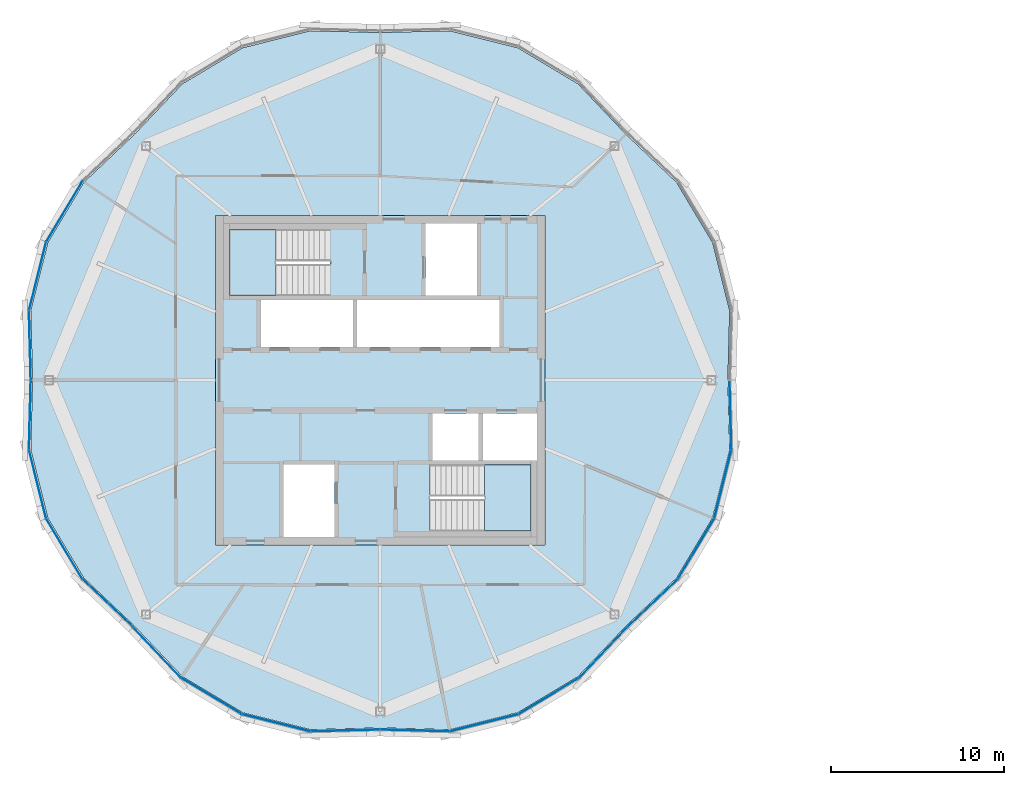
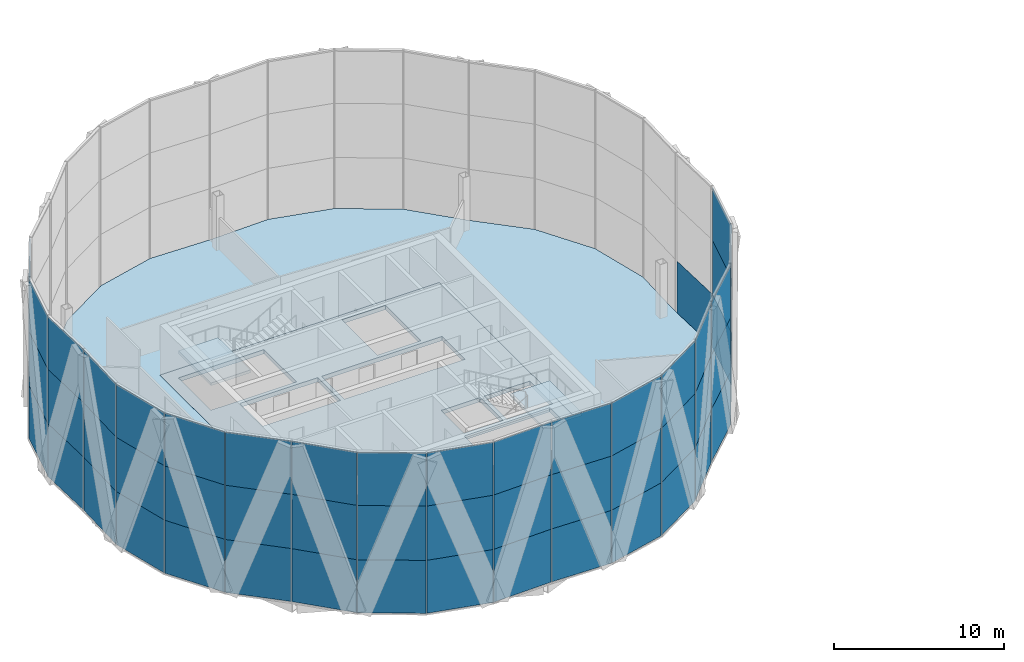
# One storey, part 12 of 22: 55 plates, 4 slabs, 7 elements without a shape of their own.
"""IFC4 building model written with IfcOpenShell, lengths in metres."""

from ifc_helpers import new_model, si_unit, direction, frame, origin, origin_2d, place, context, subcontext, project, spatial, polyline, rectangle, outline, extrude, material, layer, layer_set, type_object, element, aggregate, save


model = new_model("IFC4")

# Units and contexts
model_context = context("Model", 3, precision=1e-05, world=origin(), true_north=direction((0.0, 1.0)))
body_context = subcontext(model_context, "Body", "Model", "MODEL_VIEW")
ifc_project = project(units=[si_unit("LENGTHUNIT", "METRE"), si_unit("AREAUNIT", "SQUARE_METRE"), si_unit("VOLUMEUNIT", "CUBIC_METRE"), si_unit("PLANEANGLEUNIT", "RADIAN"), si_unit("MASSUNIT", "GRAM", prefix="KILO")], contexts=[model_context])

# Site, building, storey
site_placement = place(None, origin())
site = spatial("IfcSite", under=ifc_project, at=site_placement, CompositionType="ELEMENT")
building_placement = place(site_placement, origin())
building = spatial("IfcBuilding", under=site, at=building_placement, Name="Ogive Gate Towers", CompositionType="ELEMENT")
storey_placement = place(building_placement, frame((0.0, 0.0, 228.89990234375)))
storey = spatial("IfcBuildingStorey", under=building, at=storey_placement, Name="L54", CompositionType="ELEMENT", Elevation=228.89990234375)

# Slabs
ifc_material_1 = material(Name="Concrete C40/50", Category="concrete")
ifc_layer_1 = layer(ifc_material_1, 0.300048828125)
ifc_layer_set_1 = layer_set([ifc_layer_1], Name="Core slab C40/50 300 mm")
slab_type_1 = type_object("IfcSlabType", Name="Core slab C40/50 300 mm", PredefinedType="FLOOR", material=ifc_layer_set_1)
slab_1_placement = place(storey_placement, frame((0.0, 0.0, -0.2998046875)))
element("IfcSlab", 1, at=slab_1_placement, inside=storey, type_object=slab_type_1, Name="T1 L54 core slab", PredefinedType="FLOOR", context=body_context, shape_type="SweptSolid", body=[
    extrude(outline(polyline([(-45.5, -9.5), (-45.5, 9.5), (-26.5, 9.5), (-26.5, -9.5), (-45.5, -9.5)]), holes=[polyline([(-42.875, 1.925048828125), (-37.574951171875, 1.925048828125), (-37.574951171875, 4.625), (-42.875, 4.625), (-42.875, 1.925048828125)]), polyline([(-37.324951171875, 4.625), (-37.324951171875, 1.925048828125), (-29.125, 1.925048828125), (-29.125, 4.625), (-37.324951171875, 4.625)]), polyline([(-30.324951171875, -1.925048828125), (-32.97509765625, -1.925048828125), (-32.97509765625, -4.625), (-30.324951171875, -4.625), (-30.324951171875, -1.925048828125)]), polyline([(-26.949951171875, -4.625), (-26.949951171875, -1.925048828125), (-30.074951171875, -1.925048828125), (-30.074951171875, -4.625), (-26.949951171875, -4.625)]), polyline([(-33.375, 4.875), (-30.425048828125, 4.875), (-30.425048828125, 9.050048828125), (-33.375, 9.050048828125), (-33.375, 4.875)]), polyline([(-41.574951171875, -4.875), (-41.574951171875, -9.050048828125), (-38.625, -9.050048828125), (-38.625, -4.875), (-41.574951171875, -4.875)]), polyline([(-44.699951171875, 4.875), (-38.885009765625, 4.875), (-38.885009765625, 8.699951171875), (-44.699951171875, 8.699951171875), (-44.699951171875, 4.875)]), polyline([(-27.300048828125, -8.699951171875), (-27.300048828125, -4.875), (-33.114990234375, -4.875), (-33.114990234375, -8.699951171875), (-27.300048828125, -8.699951171875)])]), origin(), (0.0, 0.0, 1.0), 0.2998046875),
])
ifc_material_2 = material(Name="Concrete C35/45", Category="concrete")
ifc_layer_2 = layer(ifc_material_2, 0.300048828125)
ifc_layer_set_2 = layer_set([ifc_layer_2], Name="Floor slab 300")
slab_type_2 = type_object("IfcSlabType", Name="Floor slab 300", PredefinedType="FLOOR", material=ifc_layer_set_2)
slab_2_placement = place(storey_placement, frame((0.0, 0.0, -0.2998046875)))
element("IfcSlab", 2, at=slab_2_placement, inside=storey, type_object=slab_type_2, Name="T1/L54/SSL001", PredefinedType="FLOOR", context=body_context, shape_type="SweptSolid", body=[
    extrude(outline(polyline([(-15.844970703125, -4.009033203125), (-15.949951171875, 0.0), (-15.844970703125, 4.009033203125), (-16.82958984375, 7.940673828125), (-18.913330078125, 11.4169921875), (-21.822509765625, 14.177490234375), (-24.5830078125, 17.086669921875), (-28.059326171875, 19.17041015625), (-31.990966796875, 20.155029296875), (-36.0, 20.050048828125), (-40.009033203125, 20.155029296875), (-43.940673828125, 19.17041015625), (-47.4169921875, 17.086669921875), (-50.177490234375, 14.177490234375), (-53.086669921875, 11.4169921875), (-55.17041015625, 7.940673828125), (-56.155029296875, 4.009033203125), (-56.050048828125, 0.0), (-56.155029296875, -4.009033203125), (-55.17041015625, -7.940673828125), (-53.086669921875, -11.4169921875), (-50.177490234375, -14.177490234375), (-47.4169921875, -17.086669921875), (-43.940673828125, -19.17041015625), (-40.009033203125, -20.155029296875), (-36.0, -20.050048828125), (-31.990966796875, -20.155029296875), (-28.059326171875, -19.17041015625), (-24.5830078125, -17.086669921875), (-21.822509765625, -14.177490234375), (-18.913330078125, -11.4169921875), (-16.82958984375, -7.940673828125), (-15.844970703125, -4.009033203125)]), holes=[polyline([(-26.5, -9.5), (-45.5, -9.5), (-45.5, 9.5), (-26.5, 9.5), (-26.5, -9.5)])]), origin(), (0.0, 0.0, 1.0), 0.2998046875),
])

# Stair, slab
stair_type = type_object("IfcStairType", Name="Escape stair 1840 wide", PredefinedType="HALF_TURN_STAIR", material=ifc_material_1)
stair_1_placement = place(storey_placement, origin())
stair_1 = element("IfcStair", 3, at=stair_1_placement, inside=storey, type_object=stair_type, Name="L54 Escape stair 1", PredefinedType="HALF_TURN_STAIR")
ifc_layer_3 = layer(ifc_material_1, 0.199951171875)
ifc_layer_set_3 = layer_set([ifc_layer_3], Name="Stair landing 200 mm")
slab_type_3 = type_object("IfcSlabType", Name="Stair landing 200 mm", PredefinedType="LANDING", material=ifc_layer_set_3)
slab_3_placement = place(storey_placement, frame((0.0, 0.0, 1.75)))
slab_3 = element("IfcSlab", 4, at=slab_3_placement, type_object=slab_type_3, Name="ST1 landing 1", PredefinedType="LANDING", context=body_context, shape_type="SweptSolid", body=[
    extrude(outline(polyline([(-42.00146484375, 8.699951171875), (-44.699951171875, 8.699951171875), (-44.699951171875, 4.875), (-42.00146484375, 4.875), (-42.00146484375, 8.699951171875)])), origin(), (0.0, 0.0, 1.0), 0.2001953125),
])
aggregate(stair_1, [slab_3])

stair_2_placement = place(storey_placement, origin())
stair_2 = element("IfcStair", 5, at=stair_2_placement, inside=storey, type_object=stair_type, Name="L54 Escape stair 2", PredefinedType="HALF_TURN_STAIR")
slab_4_placement = place(storey_placement, frame((0.0, 0.0, 1.75)))
slab_4 = element("IfcSlab", 6, at=slab_4_placement, type_object=slab_type_3, Name="ST2 landing 1", PredefinedType="LANDING", context=body_context, shape_type="SweptSolid", body=[
    extrude(outline(polyline([(-29.99853515625, -8.699951171875), (-27.300048828125, -8.699951171875), (-27.300048828125, -4.875), (-29.99853515625, -4.875), (-29.99853515625, -8.699951171875)])), origin(), (0.0, 0.0, 1.0), 0.2001953125),
])
aggregate(stair_2, [slab_4])

# Curtain wall, plates
ifc_material_3 = material(Name="Pale metal aluminium", Category="aluminium")
curtain_wall_type = type_object("IfcCurtainWallType", Name="Tower unitised wall, high zone", PredefinedType="NOTDEFINED", material=ifc_material_3)
curtain_wall_1_placement = place(storey_placement, origin())
curtain_wall_1 = element("IfcCurtainWall", 7, at=curtain_wall_1_placement, inside=storey, type_object=curtain_wall_type, Name="CW2 T1 ECW04", PredefinedType="NOTDEFINED")
ifc_material_4 = material(Name="Clear glass", Category="glass")
ifc_layer_4 = layer(ifc_material_4, 0.028076171875)
ifc_layer_set_4 = layer_set([ifc_layer_4], Name="Tower unitised wall, high zone glass panel")
plate_type = type_object("IfcPlateType", Name="Tower unitised wall, high zone glass panel", PredefinedType="CURTAIN_PANEL", material=ifc_layer_set_4)
plate_1_placement = place(storey_placement, frame((-54.214599609375, 9.729736328125, -0.2041015625), z_axis=(0.0, 0.0, 1.0), x_axis=(-0.514155138893, -0.85769720365, 0.0)))
plate_1 = element("IfcPlate", 8, at=plate_1_placement, type_object=plate_type, Name="CW2 glass panel", PredefinedType="CURTAIN_PANEL", context=body_context, shape_type="SweptSolid", body=[
    extrude(rectangle(XDim=4.01953125, YDim=0.028076171875, at=origin_2d()), origin(), (0.0, 0.0, 1.0), 3.803955078125),
])
plate_2_placement = place(storey_placement, frame((-54.214599609375, 9.729736328125, 3.60009765625), z_axis=(0.0, 0.0, 1.0), x_axis=(-0.514155138893, -0.85769720365, 0.0)))
plate_2 = element("IfcPlate", 9, at=plate_2_placement, type_object=plate_type, Name="CW2 glass panel", PredefinedType="CURTAIN_PANEL", context=body_context, shape_type="SweptSolid", body=[
    extrude(rectangle(XDim=4.01953125, YDim=0.028076171875, at=origin_2d()), origin(), (0.0, 0.0, 1.0), 3.89990234375),
])
plate_3_placement = place(storey_placement, frame((-54.214599609375, 9.729736328125, 7.5), z_axis=(0.0, 0.0, 1.0), x_axis=(-0.514155138893, -0.85769720365, 0.0)))
plate_3 = element("IfcPlate", 10, at=plate_3_placement, type_object=plate_type, Name="CW2 glass panel", PredefinedType="CURTAIN_PANEL", context=body_context, shape_type="SweptSolid", body=[
    extrude(rectangle(XDim=4.01953125, YDim=0.028076171875, at=origin_2d()), origin(), (0.0, 0.0, 1.0), 3.803955078125),
])
plate_4_placement = place(storey_placement, frame((-55.759765625, 5.999755859375, -0.2041015625), z_axis=(0.0, 0.0, 1.0), x_axis=(-0.242937854074, -0.970041854282, 0.0)))
plate_4 = element("IfcPlate", 11, at=plate_4_placement, type_object=plate_type, Name="CW2 glass panel", PredefinedType="CURTAIN_PANEL", context=body_context, shape_type="SweptSolid", body=[
    extrude(rectangle(XDim=4.01953125, YDim=0.028076171875, at=origin_2d()), origin(), (0.0, 0.0, 1.0), 3.803955078125),
])
plate_5_placement = place(storey_placement, frame((-55.759765625, 5.999755859375, 3.60009765625), z_axis=(0.0, 0.0, 1.0), x_axis=(-0.242937854074, -0.970041854282, 0.0)))
plate_5 = element("IfcPlate", 12, at=plate_5_placement, type_object=plate_type, Name="CW2 glass panel", PredefinedType="CURTAIN_PANEL", context=body_context, shape_type="SweptSolid", body=[
    extrude(rectangle(XDim=4.01953125, YDim=0.028076171875, at=origin_2d()), origin(), (0.0, 0.0, 1.0), 3.89990234375),
])
plate_6_placement = place(storey_placement, frame((-55.759765625, 5.999755859375, 7.5), z_axis=(0.0, 0.0, 1.0), x_axis=(-0.242937854074, -0.970041854282, 0.0)))
plate_6 = element("IfcPlate", 13, at=plate_6_placement, type_object=plate_type, Name="CW2 glass panel", PredefinedType="CURTAIN_PANEL", context=body_context, shape_type="SweptSolid", body=[
    extrude(rectangle(XDim=4.01953125, YDim=0.028076171875, at=origin_2d()), origin(), (0.0, 0.0, 1.0), 3.803955078125),
])
plate_7_placement = place(storey_placement, frame((-56.20263671875, 2.008056640625, -0.2041015625), z_axis=(0.0, 0.0, 1.0), x_axis=(0.026229290207, -0.999655952983, 0.0)))
plate_7 = element("IfcPlate", 14, at=plate_7_placement, type_object=plate_type, Name="CW2 glass panel", PredefinedType="CURTAIN_PANEL", context=body_context, shape_type="SweptSolid", body=[
    extrude(rectangle(XDim=3.963623046875, YDim=0.028076171875, at=origin_2d()), origin(), (0.0, 0.0, 1.0), 3.803955078125),
])
plate_8_placement = place(storey_placement, frame((-56.20263671875, 2.008056640625, 3.60009765625), z_axis=(0.0, 0.0, 1.0), x_axis=(0.026229290207, -0.999655952983, 0.0)))
plate_8 = element("IfcPlate", 15, at=plate_8_placement, type_object=plate_type, Name="CW2 glass panel", PredefinedType="CURTAIN_PANEL", context=body_context, shape_type="SweptSolid", body=[
    extrude(rectangle(XDim=3.963623046875, YDim=0.028076171875, at=origin_2d()), origin(), (0.0, 0.0, 1.0), 3.89990234375),
])
plate_9_placement = place(storey_placement, frame((-56.20263671875, 2.008056640625, 7.5), z_axis=(0.0, 0.0, 1.0), x_axis=(0.026229290207, -0.999655952983, 0.0)))
plate_9 = element("IfcPlate", 16, at=plate_9_placement, type_object=plate_type, Name="CW2 glass panel", PredefinedType="CURTAIN_PANEL", context=body_context, shape_type="SweptSolid", body=[
    extrude(rectangle(XDim=3.963623046875, YDim=0.028076171875, at=origin_2d()), origin(), (0.0, 0.0, 1.0), 3.803955078125),
])
aggregate(curtain_wall_1, [plate_1, plate_2, plate_3, plate_4, plate_5, plate_6, plate_7, plate_8, plate_9])

curtain_wall_2_placement = place(storey_placement, origin())
curtain_wall_2 = element("IfcCurtainWall", 17, at=curtain_wall_2_placement, inside=storey, type_object=curtain_wall_type, Name="CW2 T1 ECW05", PredefinedType="NOTDEFINED")
plate_10_placement = place(storey_placement, frame((-56.20263671875, -2.008056640625, -0.2041015625), z_axis=(0.0, 0.0, 1.0), x_axis=(-0.026229290207, -0.999655952983, 0.0)))
plate_10 = element("IfcPlate", 18, at=plate_10_placement, type_object=plate_type, Name="CW2 glass panel", PredefinedType="CURTAIN_PANEL", context=body_context, shape_type="SweptSolid", body=[
    extrude(rectangle(XDim=3.963623046875, YDim=0.028076171875, at=origin_2d()), origin(), (0.0, 0.0, 1.0), 3.803955078125),
])
plate_11_placement = place(storey_placement, frame((-56.20263671875, -2.008056640625, 3.60009765625), z_axis=(0.0, 0.0, 1.0), x_axis=(-0.026229290207, -0.999655952983, 0.0)))
plate_11 = element("IfcPlate", 19, at=plate_11_placement, type_object=plate_type, Name="CW2 glass panel", PredefinedType="CURTAIN_PANEL", context=body_context, shape_type="SweptSolid", body=[
    extrude(rectangle(XDim=3.963623046875, YDim=0.028076171875, at=origin_2d()), origin(), (0.0, 0.0, 1.0), 3.89990234375),
])
plate_12_placement = place(storey_placement, frame((-56.20263671875, -2.008056640625, 7.5), z_axis=(0.0, 0.0, 1.0), x_axis=(-0.026229290207, -0.999655952983, 0.0)))
plate_12 = element("IfcPlate", 20, at=plate_12_placement, type_object=plate_type, Name="CW2 glass panel", PredefinedType="CURTAIN_PANEL", context=body_context, shape_type="SweptSolid", body=[
    extrude(rectangle(XDim=3.963623046875, YDim=0.028076171875, at=origin_2d()), origin(), (0.0, 0.0, 1.0), 3.803955078125),
])
plate_13_placement = place(storey_placement, frame((-55.759765625, -5.999755859375, -0.2041015625), z_axis=(0.0, 0.0, 1.0), x_axis=(0.242937854074, -0.970041854282, 0.0)))
plate_13 = element("IfcPlate", 21, at=plate_13_placement, type_object=plate_type, Name="CW2 glass panel", PredefinedType="CURTAIN_PANEL", context=body_context, shape_type="SweptSolid", body=[
    extrude(rectangle(XDim=4.01953125, YDim=0.028076171875, at=origin_2d()), origin(), (0.0, 0.0, 1.0), 3.803955078125),
])
plate_14_placement = place(storey_placement, frame((-55.759765625, -5.999755859375, 3.60009765625), z_axis=(0.0, 0.0, 1.0), x_axis=(0.242937854074, -0.970041854282, 0.0)))
plate_14 = element("IfcPlate", 22, at=plate_14_placement, type_object=plate_type, Name="CW2 glass panel", PredefinedType="CURTAIN_PANEL", context=body_context, shape_type="SweptSolid", body=[
    extrude(rectangle(XDim=4.01953125, YDim=0.028076171875, at=origin_2d()), origin(), (0.0, 0.0, 1.0), 3.89990234375),
])
plate_15_placement = place(storey_placement, frame((-55.759765625, -5.999755859375, 7.5), z_axis=(0.0, 0.0, 1.0), x_axis=(0.242937854074, -0.970041854282, 0.0)))
plate_15 = element("IfcPlate", 23, at=plate_15_placement, type_object=plate_type, Name="CW2 glass panel", PredefinedType="CURTAIN_PANEL", context=body_context, shape_type="SweptSolid", body=[
    extrude(rectangle(XDim=4.01953125, YDim=0.028076171875, at=origin_2d()), origin(), (0.0, 0.0, 1.0), 3.803955078125),
])
plate_16_placement = place(storey_placement, frame((-54.214599609375, -9.729736328125, -0.2041015625), z_axis=(0.0, 0.0, 1.0), x_axis=(0.514155138893, -0.85769720365, 0.0)))
plate_16 = element("IfcPlate", 24, at=plate_16_placement, type_object=plate_type, Name="CW2 glass panel", PredefinedType="CURTAIN_PANEL", context=body_context, shape_type="SweptSolid", body=[
    extrude(rectangle(XDim=4.01953125, YDim=0.028076171875, at=origin_2d()), origin(), (0.0, 0.0, 1.0), 3.803955078125),
])
plate_17_placement = place(storey_placement, frame((-54.214599609375, -9.729736328125, 3.60009765625), z_axis=(0.0, 0.0, 1.0), x_axis=(0.514155138893, -0.85769720365, 0.0)))
plate_17 = element("IfcPlate", 25, at=plate_17_placement, type_object=plate_type, Name="CW2 glass panel", PredefinedType="CURTAIN_PANEL", context=body_context, shape_type="SweptSolid", body=[
    extrude(rectangle(XDim=4.01953125, YDim=0.028076171875, at=origin_2d()), origin(), (0.0, 0.0, 1.0), 3.89990234375),
])
plate_18_placement = place(storey_placement, frame((-54.214599609375, -9.729736328125, 7.5), z_axis=(0.0, 0.0, 1.0), x_axis=(0.514155138893, -0.85769720365, 0.0)))
plate_18 = element("IfcPlate", 26, at=plate_18_placement, type_object=plate_type, Name="CW2 glass panel", PredefinedType="CURTAIN_PANEL", context=body_context, shape_type="SweptSolid", body=[
    extrude(rectangle(XDim=4.01953125, YDim=0.028076171875, at=origin_2d()), origin(), (0.0, 0.0, 1.0), 3.803955078125),
])
plate_19_placement = place(storey_placement, frame((-51.705322265625, -12.865478515625, -0.2041015625), z_axis=(0.0, 0.0, 1.0), x_axis=(0.725398398678, -0.688329254932, 0.0)))
plate_19 = element("IfcPlate", 27, at=plate_19_placement, type_object=plate_type, Name="CW2 glass panel", PredefinedType="CURTAIN_PANEL", context=body_context, shape_type="SweptSolid", body=[
    extrude(rectangle(XDim=3.963623046875, YDim=0.028076171875, at=origin_2d()), origin(), (0.0, 0.0, 1.0), 3.803955078125),
])
plate_20_placement = place(storey_placement, frame((-51.705322265625, -12.865478515625, 3.60009765625), z_axis=(0.0, 0.0, 1.0), x_axis=(0.725398398678, -0.688329254932, 0.0)))
plate_20 = element("IfcPlate", 28, at=plate_20_placement, type_object=plate_type, Name="CW2 glass panel", PredefinedType="CURTAIN_PANEL", context=body_context, shape_type="SweptSolid", body=[
    extrude(rectangle(XDim=3.963623046875, YDim=0.028076171875, at=origin_2d()), origin(), (0.0, 0.0, 1.0), 3.89990234375),
])
plate_21_placement = place(storey_placement, frame((-51.705322265625, -12.865478515625, 7.5), z_axis=(0.0, 0.0, 1.0), x_axis=(0.725398398678, -0.688329254932, 0.0)))
plate_21 = element("IfcPlate", 29, at=plate_21_placement, type_object=plate_type, Name="CW2 glass panel", PredefinedType="CURTAIN_PANEL", context=body_context, shape_type="SweptSolid", body=[
    extrude(rectangle(XDim=3.963623046875, YDim=0.028076171875, at=origin_2d()), origin(), (0.0, 0.0, 1.0), 3.803955078125),
])
aggregate(curtain_wall_2, [plate_10, plate_11, plate_12, plate_13, plate_14, plate_15, plate_16, plate_17, plate_18, plate_19, plate_20, plate_21])

curtain_wall_3_placement = place(storey_placement, origin())
curtain_wall_3 = element("IfcCurtainWall", 30, at=curtain_wall_3_placement, inside=storey, type_object=curtain_wall_type, Name="CW2 T1 ECW06", PredefinedType="NOTDEFINED")
plate_22_placement = place(storey_placement, frame((-48.865478515625, -15.705322265625, -0.2041015625), z_axis=(0.0, 0.0, 1.0), x_axis=(0.688329254932, -0.725398398678, 0.0)))
plate_22 = element("IfcPlate", 31, at=plate_22_placement, type_object=plate_type, Name="CW2 glass panel", PredefinedType="CURTAIN_PANEL", context=body_context, shape_type="SweptSolid", body=[
    extrude(rectangle(XDim=3.963623046875, YDim=0.028076171875, at=origin_2d()), origin(), (0.0, 0.0, 1.0), 3.803955078125),
])
plate_23_placement = place(storey_placement, frame((-48.865478515625, -15.705322265625, 3.60009765625), z_axis=(0.0, 0.0, 1.0), x_axis=(0.688329254932, -0.725398398678, 0.0)))
plate_23 = element("IfcPlate", 32, at=plate_23_placement, type_object=plate_type, Name="CW2 glass panel", PredefinedType="CURTAIN_PANEL", context=body_context, shape_type="SweptSolid", body=[
    extrude(rectangle(XDim=3.963623046875, YDim=0.028076171875, at=origin_2d()), origin(), (0.0, 0.0, 1.0), 3.89990234375),
])
plate_24_placement = place(storey_placement, frame((-48.865478515625, -15.705322265625, 7.5), z_axis=(0.0, 0.0, 1.0), x_axis=(0.688329254932, -0.725398398678, 0.0)))
plate_24 = element("IfcPlate", 33, at=plate_24_placement, type_object=plate_type, Name="CW2 glass panel", PredefinedType="CURTAIN_PANEL", context=body_context, shape_type="SweptSolid", body=[
    extrude(rectangle(XDim=3.963623046875, YDim=0.028076171875, at=origin_2d()), origin(), (0.0, 0.0, 1.0), 3.803955078125),
])
plate_25_placement = place(storey_placement, frame((-45.729736328125, -18.214599609375, -0.2041015625), z_axis=(0.0, 0.0, 1.0), x_axis=(0.85769720365, -0.514155138893, 0.0)))
plate_25 = element("IfcPlate", 34, at=plate_25_placement, type_object=plate_type, Name="CW2 glass panel", PredefinedType="CURTAIN_PANEL", context=body_context, shape_type="SweptSolid", body=[
    extrude(rectangle(XDim=4.01953125, YDim=0.028076171875, at=origin_2d()), origin(), (0.0, 0.0, 1.0), 3.803955078125),
])
plate_26_placement = place(storey_placement, frame((-45.729736328125, -18.214599609375, 3.60009765625), z_axis=(0.0, 0.0, 1.0), x_axis=(0.85769720365, -0.514155138893, 0.0)))
plate_26 = element("IfcPlate", 35, at=plate_26_placement, type_object=plate_type, Name="CW2 glass panel", PredefinedType="CURTAIN_PANEL", context=body_context, shape_type="SweptSolid", body=[
    extrude(rectangle(XDim=4.01953125, YDim=0.028076171875, at=origin_2d()), origin(), (0.0, 0.0, 1.0), 3.89990234375),
])
plate_27_placement = place(storey_placement, frame((-45.729736328125, -18.214599609375, 7.5), z_axis=(0.0, 0.0, 1.0), x_axis=(0.85769720365, -0.514155138893, 0.0)))
plate_27 = element("IfcPlate", 36, at=plate_27_placement, type_object=plate_type, Name="CW2 glass panel", PredefinedType="CURTAIN_PANEL", context=body_context, shape_type="SweptSolid", body=[
    extrude(rectangle(XDim=4.01953125, YDim=0.028076171875, at=origin_2d()), origin(), (0.0, 0.0, 1.0), 3.803955078125),
])
plate_28_placement = place(storey_placement, frame((-41.999755859375, -19.759765625, -0.2041015625), z_axis=(0.0, 0.0, 1.0), x_axis=(0.970041854282, -0.242937854074, 0.0)))
plate_28 = element("IfcPlate", 37, at=plate_28_placement, type_object=plate_type, Name="CW2 glass panel", PredefinedType="CURTAIN_PANEL", context=body_context, shape_type="SweptSolid", body=[
    extrude(rectangle(XDim=4.01953125, YDim=0.028076171875, at=origin_2d()), origin(), (0.0, 0.0, 1.0), 3.803955078125),
])
plate_29_placement = place(storey_placement, frame((-41.999755859375, -19.759765625, 3.60009765625), z_axis=(0.0, 0.0, 1.0), x_axis=(0.970041854282, -0.242937854074, 0.0)))
plate_29 = element("IfcPlate", 38, at=plate_29_placement, type_object=plate_type, Name="CW2 glass panel", PredefinedType="CURTAIN_PANEL", context=body_context, shape_type="SweptSolid", body=[
    extrude(rectangle(XDim=4.01953125, YDim=0.028076171875, at=origin_2d()), origin(), (0.0, 0.0, 1.0), 3.89990234375),
])
plate_30_placement = place(storey_placement, frame((-41.999755859375, -19.759765625, 7.5), z_axis=(0.0, 0.0, 1.0), x_axis=(0.970041854282, -0.242937854074, 0.0)))
plate_30 = element("IfcPlate", 39, at=plate_30_placement, type_object=plate_type, Name="CW2 glass panel", PredefinedType="CURTAIN_PANEL", context=body_context, shape_type="SweptSolid", body=[
    extrude(rectangle(XDim=4.01953125, YDim=0.028076171875, at=origin_2d()), origin(), (0.0, 0.0, 1.0), 3.803955078125),
])
plate_31_placement = place(storey_placement, frame((-38.008056640625, -20.20263671875, -0.2041015625), z_axis=(0.0, 0.0, 1.0), x_axis=(0.999655952983, 0.026229290207, 0.0)))
plate_31 = element("IfcPlate", 40, at=plate_31_placement, type_object=plate_type, Name="CW2 glass panel", PredefinedType="CURTAIN_PANEL", context=body_context, shape_type="SweptSolid", body=[
    extrude(rectangle(XDim=3.963623046875, YDim=0.028076171875, at=origin_2d()), origin(), (0.0, 0.0, 1.0), 3.803955078125),
])
plate_32_placement = place(storey_placement, frame((-38.008056640625, -20.20263671875, 3.60009765625), z_axis=(0.0, 0.0, 1.0), x_axis=(0.999655952983, 0.026229290207, 0.0)))
plate_32 = element("IfcPlate", 41, at=plate_32_placement, type_object=plate_type, Name="CW2 glass panel", PredefinedType="CURTAIN_PANEL", context=body_context, shape_type="SweptSolid", body=[
    extrude(rectangle(XDim=3.963623046875, YDim=0.028076171875, at=origin_2d()), origin(), (0.0, 0.0, 1.0), 3.89990234375),
])
plate_33_placement = place(storey_placement, frame((-38.008056640625, -20.20263671875, 7.5), z_axis=(0.0, 0.0, 1.0), x_axis=(0.999655952983, 0.026229290207, 0.0)))
plate_33 = element("IfcPlate", 42, at=plate_33_placement, type_object=plate_type, Name="CW2 glass panel", PredefinedType="CURTAIN_PANEL", context=body_context, shape_type="SweptSolid", body=[
    extrude(rectangle(XDim=3.963623046875, YDim=0.028076171875, at=origin_2d()), origin(), (0.0, 0.0, 1.0), 3.803955078125),
])
aggregate(curtain_wall_3, [plate_22, plate_23, plate_24, plate_25, plate_26, plate_27, plate_28, plate_29, plate_30, plate_31, plate_32, plate_33])

curtain_wall_4_placement = place(storey_placement, origin())
curtain_wall_4 = element("IfcCurtainWall", 43, at=curtain_wall_4_placement, inside=storey, type_object=curtain_wall_type, Name="CW2 T1 ECW07", PredefinedType="NOTDEFINED")
plate_34_placement = place(storey_placement, frame((-33.991943359375, -20.20263671875, -0.2041015625), z_axis=(0.0, 0.0, 1.0), x_axis=(0.999655952983, -0.026229290207, 0.0)))
plate_34 = element("IfcPlate", 44, at=plate_34_placement, type_object=plate_type, Name="CW2 glass panel", PredefinedType="CURTAIN_PANEL", context=body_context, shape_type="SweptSolid", body=[
    extrude(rectangle(XDim=3.963623046875, YDim=0.028076171875, at=origin_2d()), origin(), (0.0, 0.0, 1.0), 3.803955078125),
])
plate_35_placement = place(storey_placement, frame((-33.991943359375, -20.20263671875, 3.60009765625), z_axis=(0.0, 0.0, 1.0), x_axis=(0.999655952983, -0.026229290207, 0.0)))
plate_35 = element("IfcPlate", 45, at=plate_35_placement, type_object=plate_type, Name="CW2 glass panel", PredefinedType="CURTAIN_PANEL", context=body_context, shape_type="SweptSolid", body=[
    extrude(rectangle(XDim=3.963623046875, YDim=0.028076171875, at=origin_2d()), origin(), (0.0, 0.0, 1.0), 3.89990234375),
])
plate_36_placement = place(storey_placement, frame((-33.991943359375, -20.20263671875, 7.5), z_axis=(0.0, 0.0, 1.0), x_axis=(0.999655952983, -0.026229290207, 0.0)))
plate_36 = element("IfcPlate", 46, at=plate_36_placement, type_object=plate_type, Name="CW2 glass panel", PredefinedType="CURTAIN_PANEL", context=body_context, shape_type="SweptSolid", body=[
    extrude(rectangle(XDim=3.963623046875, YDim=0.028076171875, at=origin_2d()), origin(), (0.0, 0.0, 1.0), 3.803955078125),
])
plate_37_placement = place(storey_placement, frame((-30.000244140625, -19.759765625, -0.2041015625), z_axis=(0.0, 0.0, 1.0), x_axis=(0.970041854282, 0.242937854074, 0.0)))
plate_37 = element("IfcPlate", 47, at=plate_37_placement, type_object=plate_type, Name="CW2 glass panel", PredefinedType="CURTAIN_PANEL", context=body_context, shape_type="SweptSolid", body=[
    extrude(rectangle(XDim=4.01953125, YDim=0.028076171875, at=origin_2d()), origin(), (0.0, 0.0, 1.0), 3.803955078125),
])
plate_38_placement = place(storey_placement, frame((-30.000244140625, -19.759765625, 3.60009765625), z_axis=(0.0, 0.0, 1.0), x_axis=(0.970041854282, 0.242937854074, 0.0)))
plate_38 = element("IfcPlate", 48, at=plate_38_placement, type_object=plate_type, Name="CW2 glass panel", PredefinedType="CURTAIN_PANEL", context=body_context, shape_type="SweptSolid", body=[
    extrude(rectangle(XDim=4.01953125, YDim=0.028076171875, at=origin_2d()), origin(), (0.0, 0.0, 1.0), 3.89990234375),
])
plate_39_placement = place(storey_placement, frame((-30.000244140625, -19.759765625, 7.5), z_axis=(0.0, 0.0, 1.0), x_axis=(0.970041854282, 0.242937854074, 0.0)))
plate_39 = element("IfcPlate", 49, at=plate_39_placement, type_object=plate_type, Name="CW2 glass panel", PredefinedType="CURTAIN_PANEL", context=body_context, shape_type="SweptSolid", body=[
    extrude(rectangle(XDim=4.01953125, YDim=0.028076171875, at=origin_2d()), origin(), (0.0, 0.0, 1.0), 3.803955078125),
])
plate_40_placement = place(storey_placement, frame((-26.270263671875, -18.214599609375, -0.2041015625), z_axis=(0.0, 0.0, 1.0), x_axis=(0.85769720365, 0.514155138893, 0.0)))
plate_40 = element("IfcPlate", 50, at=plate_40_placement, type_object=plate_type, Name="CW2 glass panel", PredefinedType="CURTAIN_PANEL", context=body_context, shape_type="SweptSolid", body=[
    extrude(rectangle(XDim=4.01953125, YDim=0.028076171875, at=origin_2d()), origin(), (0.0, 0.0, 1.0), 3.803955078125),
])
plate_41_placement = place(storey_placement, frame((-26.270263671875, -18.214599609375, 3.60009765625), z_axis=(0.0, 0.0, 1.0), x_axis=(0.85769720365, 0.514155138893, 0.0)))
plate_41 = element("IfcPlate", 51, at=plate_41_placement, type_object=plate_type, Name="CW2 glass panel", PredefinedType="CURTAIN_PANEL", context=body_context, shape_type="SweptSolid", body=[
    extrude(rectangle(XDim=4.01953125, YDim=0.028076171875, at=origin_2d()), origin(), (0.0, 0.0, 1.0), 3.89990234375),
])
plate_42_placement = place(storey_placement, frame((-26.270263671875, -18.214599609375, 7.5), z_axis=(0.0, 0.0, 1.0), x_axis=(0.85769720365, 0.514155138893, 0.0)))
plate_42 = element("IfcPlate", 52, at=plate_42_placement, type_object=plate_type, Name="CW2 glass panel", PredefinedType="CURTAIN_PANEL", context=body_context, shape_type="SweptSolid", body=[
    extrude(rectangle(XDim=4.01953125, YDim=0.028076171875, at=origin_2d()), origin(), (0.0, 0.0, 1.0), 3.803955078125),
])
plate_43_placement = place(storey_placement, frame((-23.134521484375, -15.705322265625, -0.2041015625), z_axis=(0.0, 0.0, 1.0), x_axis=(0.688329254932, 0.725398398678, 0.0)))
plate_43 = element("IfcPlate", 53, at=plate_43_placement, type_object=plate_type, Name="CW2 glass panel", PredefinedType="CURTAIN_PANEL", context=body_context, shape_type="SweptSolid", body=[
    extrude(rectangle(XDim=3.963623046875, YDim=0.028076171875, at=origin_2d()), origin(), (0.0, 0.0, 1.0), 3.803955078125),
])
plate_44_placement = place(storey_placement, frame((-23.134521484375, -15.705322265625, 3.60009765625), z_axis=(0.0, 0.0, 1.0), x_axis=(0.688329254932, 0.725398398678, 0.0)))
plate_44 = element("IfcPlate", 54, at=plate_44_placement, type_object=plate_type, Name="CW2 glass panel", PredefinedType="CURTAIN_PANEL", context=body_context, shape_type="SweptSolid", body=[
    extrude(rectangle(XDim=3.963623046875, YDim=0.028076171875, at=origin_2d()), origin(), (0.0, 0.0, 1.0), 3.89990234375),
])
plate_45_placement = place(storey_placement, frame((-23.134521484375, -15.705322265625, 7.5), z_axis=(0.0, 0.0, 1.0), x_axis=(0.688329254932, 0.725398398678, 0.0)))
plate_45 = element("IfcPlate", 55, at=plate_45_placement, type_object=plate_type, Name="CW2 glass panel", PredefinedType="CURTAIN_PANEL", context=body_context, shape_type="SweptSolid", body=[
    extrude(rectangle(XDim=3.963623046875, YDim=0.028076171875, at=origin_2d()), origin(), (0.0, 0.0, 1.0), 3.803955078125),
])
aggregate(curtain_wall_4, [plate_34, plate_35, plate_36, plate_37, plate_38, plate_39, plate_40, plate_41, plate_42, plate_43, plate_44, plate_45])

curtain_wall_5_placement = place(storey_placement, origin())
curtain_wall_5 = element("IfcCurtainWall", 56, at=curtain_wall_5_placement, inside=storey, type_object=curtain_wall_type, Name="CW2 T1 ECW08", PredefinedType="NOTDEFINED")
plate_46_placement = place(storey_placement, frame((-20.294677734375, -12.865478515625, -0.2041015625), z_axis=(0.0, 0.0, 1.0), x_axis=(0.725398398678, 0.688329254932, 0.0)))
plate_46 = element("IfcPlate", 57, at=plate_46_placement, type_object=plate_type, Name="CW2 glass panel", PredefinedType="CURTAIN_PANEL", context=body_context, shape_type="SweptSolid", body=[
    extrude(rectangle(XDim=3.963623046875, YDim=0.028076171875, at=origin_2d()), origin(), (0.0, 0.0, 1.0), 3.803955078125),
])
plate_47_placement = place(storey_placement, frame((-20.294677734375, -12.865478515625, 3.60009765625), z_axis=(0.0, 0.0, 1.0), x_axis=(0.725398398678, 0.688329254932, 0.0)))
plate_47 = element("IfcPlate", 58, at=plate_47_placement, type_object=plate_type, Name="CW2 glass panel", PredefinedType="CURTAIN_PANEL", context=body_context, shape_type="SweptSolid", body=[
    extrude(rectangle(XDim=3.963623046875, YDim=0.028076171875, at=origin_2d()), origin(), (0.0, 0.0, 1.0), 3.89990234375),
])
plate_48_placement = place(storey_placement, frame((-20.294677734375, -12.865478515625, 7.5), z_axis=(0.0, 0.0, 1.0), x_axis=(0.725398398678, 0.688329254932, 0.0)))
plate_48 = element("IfcPlate", 59, at=plate_48_placement, type_object=plate_type, Name="CW2 glass panel", PredefinedType="CURTAIN_PANEL", context=body_context, shape_type="SweptSolid", body=[
    extrude(rectangle(XDim=3.963623046875, YDim=0.028076171875, at=origin_2d()), origin(), (0.0, 0.0, 1.0), 3.803955078125),
])
plate_49_placement = place(storey_placement, frame((-17.785400390625, -9.729736328125, -0.2041015625), z_axis=(0.0, 0.0, 1.0), x_axis=(0.514155138893, 0.85769720365, 0.0)))
plate_49 = element("IfcPlate", 60, at=plate_49_placement, type_object=plate_type, Name="CW2 glass panel", PredefinedType="CURTAIN_PANEL", context=body_context, shape_type="SweptSolid", body=[
    extrude(rectangle(XDim=4.01953125, YDim=0.028076171875, at=origin_2d()), origin(), (0.0, 0.0, 1.0), 3.803955078125),
])
plate_50_placement = place(storey_placement, frame((-17.785400390625, -9.729736328125, 3.60009765625), z_axis=(0.0, 0.0, 1.0), x_axis=(0.514155138893, 0.85769720365, 0.0)))
plate_50 = element("IfcPlate", 61, at=plate_50_placement, type_object=plate_type, Name="CW2 glass panel", PredefinedType="CURTAIN_PANEL", context=body_context, shape_type="SweptSolid", body=[
    extrude(rectangle(XDim=4.01953125, YDim=0.028076171875, at=origin_2d()), origin(), (0.0, 0.0, 1.0), 3.89990234375),
])
plate_51_placement = place(storey_placement, frame((-17.785400390625, -9.729736328125, 7.5), z_axis=(0.0, 0.0, 1.0), x_axis=(0.514155138893, 0.85769720365, 0.0)))
plate_51 = element("IfcPlate", 62, at=plate_51_placement, type_object=plate_type, Name="CW2 glass panel", PredefinedType="CURTAIN_PANEL", context=body_context, shape_type="SweptSolid", body=[
    extrude(rectangle(XDim=4.01953125, YDim=0.028076171875, at=origin_2d()), origin(), (0.0, 0.0, 1.0), 3.803955078125),
])
plate_52_placement = place(storey_placement, frame((-16.240234375, -5.999755859375, -0.2041015625), z_axis=(0.0, 0.0, 1.0), x_axis=(0.242937854074, 0.970041854282, 0.0)))
plate_52 = element("IfcPlate", 63, at=plate_52_placement, type_object=plate_type, Name="CW2 glass panel", PredefinedType="CURTAIN_PANEL", context=body_context, shape_type="SweptSolid", body=[
    extrude(rectangle(XDim=4.01953125, YDim=0.028076171875, at=origin_2d()), origin(), (0.0, 0.0, 1.0), 3.803955078125),
])
plate_53_placement = place(storey_placement, frame((-16.240234375, -5.999755859375, 3.60009765625), z_axis=(0.0, 0.0, 1.0), x_axis=(0.242937854074, 0.970041854282, 0.0)))
plate_53 = element("IfcPlate", 64, at=plate_53_placement, type_object=plate_type, Name="CW2 glass panel", PredefinedType="CURTAIN_PANEL", context=body_context, shape_type="SweptSolid", body=[
    extrude(rectangle(XDim=4.01953125, YDim=0.028076171875, at=origin_2d()), origin(), (0.0, 0.0, 1.0), 3.89990234375),
])
plate_54_placement = place(storey_placement, frame((-16.240234375, -5.999755859375, 7.5), z_axis=(0.0, 0.0, 1.0), x_axis=(0.242937854074, 0.970041854282, 0.0)))
plate_54 = element("IfcPlate", 65, at=plate_54_placement, type_object=plate_type, Name="CW2 glass panel", PredefinedType="CURTAIN_PANEL", context=body_context, shape_type="SweptSolid", body=[
    extrude(rectangle(XDim=4.01953125, YDim=0.028076171875, at=origin_2d()), origin(), (0.0, 0.0, 1.0), 3.803955078125),
])
plate_55_placement = place(storey_placement, frame((-15.79736328125, -2.008056640625, -0.2041015625), z_axis=(0.0, 0.0, 1.0), x_axis=(-0.026229290207, 0.999655952983, 0.0)))
plate_55 = element("IfcPlate", 66, at=plate_55_placement, type_object=plate_type, Name="CW2 glass panel", PredefinedType="CURTAIN_PANEL", context=body_context, shape_type="SweptSolid", body=[
    extrude(rectangle(XDim=3.963623046875, YDim=0.028076171875, at=origin_2d()), origin(), (0.0, 0.0, 1.0), 3.803955078125),
])
aggregate(curtain_wall_5, [plate_46, plate_47, plate_48, plate_49, plate_50, plate_51, plate_52, plate_53, plate_54, plate_55])

save(model, "model.ifc")
